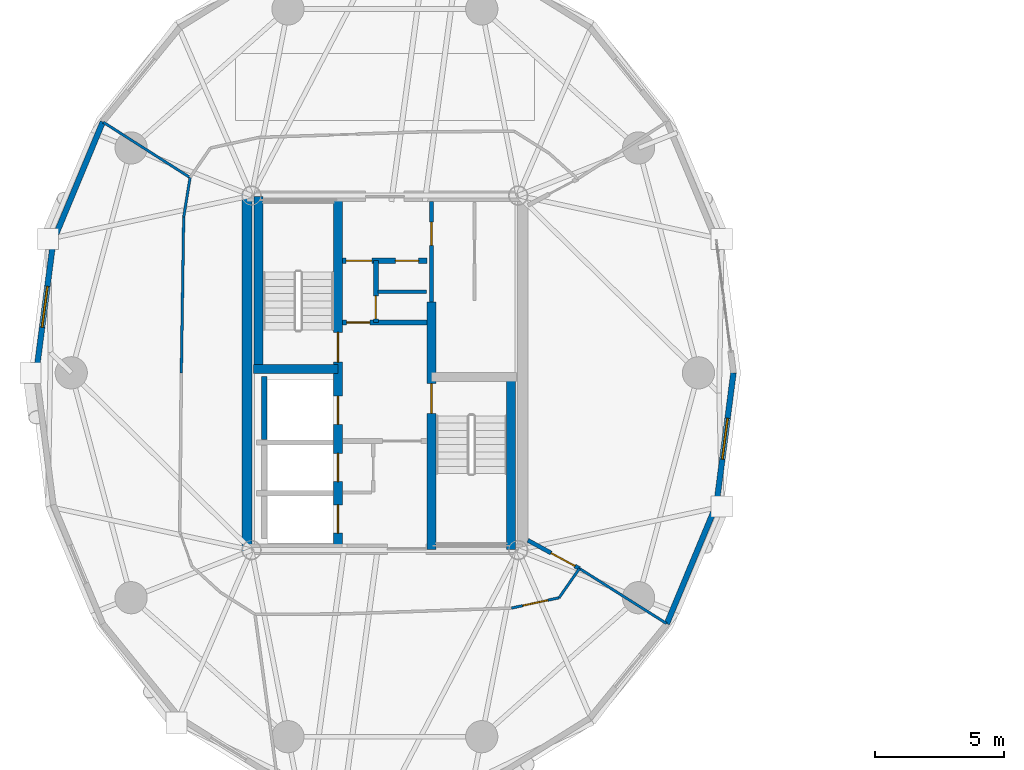
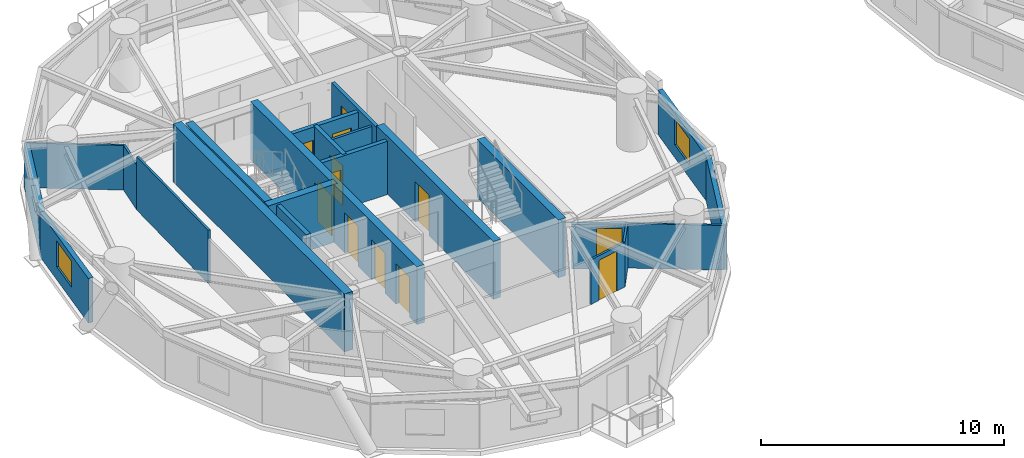
# One storey, part 10 of 17: 23 walls, 12 doors, 2 windows, 14 openings.
"""IFC4 building model written with IfcOpenShell, lengths in metres."""

from ifc_helpers import new_model, si_unit, direction, frame, frame_2d, origin, place, context, subcontext, project, spatial, rectangle, extrude, source, transform, mapped, material, layer, layer_set, type_object, element, fill, save


model = new_model("IFC4")

# Units and contexts
model_context = context("Model", 3, precision=1e-05, world=origin(), true_north=direction((0.0, 1.0)))
body_context = subcontext(model_context, "Body", "Model", "MODEL_VIEW")
ifc_project = project(units=[si_unit("LENGTHUNIT", "METRE"), si_unit("AREAUNIT", "SQUARE_METRE"), si_unit("VOLUMEUNIT", "CUBIC_METRE"), si_unit("PLANEANGLEUNIT", "RADIAN"), si_unit("MASSUNIT", "GRAM", prefix="KILO")], contexts=[model_context])

# Site, building, storey
site_placement = place(None, origin())
site = spatial("IfcSite", under=ifc_project, at=site_placement, CompositionType="ELEMENT")
building_placement = place(site_placement, origin())
building = spatial("IfcBuilding", under=site, at=building_placement, Name="Cununo Teusaquillo Station Towers", CompositionType="ELEMENT")
storey_placement = place(building_placement, frame((0.0, 0.0, 186.52001953125)))
storey = spatial("IfcBuildingStorey", under=building, at=storey_placement, Name="L59", CompositionType="ELEMENT", Elevation=186.52001953125)

# Wall
ifc_material_1 = material(Name="Concrete C50/60", Category="concrete")
ifc_layer_1 = layer(ifc_material_1, 0.199951171875)
ifc_layer_set_1 = layer_set([ifc_layer_1], Name="Concrete C50/60")
wall_type_1 = type_object("IfcWallType", Name="WL-CORE-200", PredefinedType="SHEAR", material=ifc_layer_set_1)
wall_1_placement = place(storey_placement, frame((11.820068359375, 21.919921875, 0.0), z_axis=(0.0, 0.0, 1.0), x_axis=(0.0, 1.0, 0.0)))
element("IfcWall", 1, at=wall_1_placement, inside=storey, type_object=wall_type_1, Name="L59 Tower A Firefighting Lift Shaft Rear Shear Wall", PredefinedType="SHEAR", context=body_context, shape_type="SweptSolid", body=[
    extrude(rectangle(XDim=2.440185546875, YDim=0.199951171875, at=frame_2d((1.22021484375, 0.0))), origin(), (0.0, 0.0, 1.0), 2.909912109375),
])

# Wall, openings, doors
ifc_material_2 = material(Name="Concrete C50/60", Category="concrete")
ifc_layer_2 = layer(ifc_material_2, 0.35009765625)
ifc_layer_set_2 = layer_set([ifc_layer_2], Name="Concrete C50/60")
wall_type_2 = type_object("IfcWallType", Name="WL-CORE-350", PredefinedType="SHEAR", material=ifc_layer_set_2)
wall_2_placement = place(storey_placement, frame((14.68505859375, 17.64990234375, 0.0), z_axis=(0.0, 0.0, 1.0), x_axis=(0.0, 1.0, 0.0)))
wall_2 = element("IfcWall", 2, at=wall_2_placement, inside=storey, type_object=wall_type_2, Name="L59 Tower A Core Shear Wall IW", PredefinedType="SHEAR", context=body_context, shape_type="SweptSolid", body=[
    extrude(rectangle(XDim=13.7001953125, YDim=0.35009765625, at=frame_2d((6.85009765625, 0.0))), origin(), (0.0, 0.0, 1.0), 2.909912109375),
])
shared_shape_1 = source(origin(), body_context, "Body", "SweptSolid", [
    extrude(rectangle(XDim=1.10009765625, YDim=2.014892578125, at=frame_2d((0.550048828125, 1.00732421875))), frame((0.0, 0.18505859375, 0.0), z_axis=(0.0, -1.0, 0.0), x_axis=(1.0, 0.0, 0.0)), (0.0, 0.0, 1.0), 0.3701171875),
])
opening_1_placement = place(wall_2_placement, frame((4.85009765625, 0.0, 0.0)))
opening_1 = element("IfcOpeningElement", 3, at=opening_1_placement, cuts=wall_2, Name="Opening LD-01", PredefinedType="OPENING", context=body_context, shape_type="MappedRepresentation", body=[
    mapped(shared_shape_1, transform((0.0, 0.0, 0.0), x_axis=(1.0, 0.0, 0.0), y_axis=(0.0, 1.0, 0.0), z_axis=(0.0, 0.0, 1.0), scale=1.0)),
])
opening_2_placement = place(wall_2_placement, frame((0.625, 0.0, 0.0)))
opening_2 = element("IfcOpeningElement", 4, at=opening_2_placement, cuts=wall_2, Name="Opening LD-01", PredefinedType="OPENING", context=body_context, shape_type="MappedRepresentation", body=[
    mapped(shared_shape_1, transform((0.0, 0.0, 0.0), x_axis=(1.0, 0.0, 0.0), y_axis=(0.0, 1.0, 0.0), z_axis=(0.0, 0.0, 1.0), scale=1.0)),
])
opening_3_placement = place(wall_2_placement, frame((2.625, 0.0, 0.0)))
opening_3 = element("IfcOpeningElement", 5, at=opening_3_placement, cuts=wall_2, Name="Opening LD-01", PredefinedType="OPENING", context=body_context, shape_type="MappedRepresentation", body=[
    mapped(shared_shape_1, transform((0.0, 0.0, 0.0), x_axis=(1.0, 0.0, 0.0), y_axis=(0.0, 1.0, 0.0), z_axis=(0.0, 0.0, 1.0), scale=1.0)),
])
shared_shape_2 = source(origin(), body_context, "Body", "SweptSolid", [
    extrude(rectangle(XDim=1.14990234375, YDim=2.02001953125, at=frame_2d((0.574951171875, 1.010009765625))), frame((0.0, 0.18505859375, 0.0), z_axis=(0.0, -1.0, 0.0), x_axis=(1.0, 0.0, 0.0)), (0.0, 0.0, 1.0), 0.3701171875),
])
opening_4_placement = place(wall_2_placement, frame((7.27001953125, 0.0, 0.0)))
opening_4 = element("IfcOpeningElement", 6, at=opening_4_placement, cuts=wall_2, Name="Opening D-ST1", PredefinedType="OPENING", context=body_context, shape_type="MappedRepresentation", body=[
    mapped(shared_shape_2, transform((0.0, 0.0, 0.0), x_axis=(1.0, 0.0, 0.0), y_axis=(0.0, 1.0, 0.0), z_axis=(0.0, 0.0, 1.0), scale=1.0)),
])
ifc_material_3 = material(Name="Galvanised fire-rated hollow steel door assembly", Category="steel")
door_type_1 = type_object("IfcDoorType", Name="DR-LIFT-1100", OperationType="SLIDING_TO_LEFT", PredefinedType="DOOR", material=ifc_material_3)
shared_shape_3 = source(origin(), body_context, "Body", "SweptSolid", [
    extrude(rectangle(XDim=1.10009765625, YDim=2.014892578125, at=frame_2d((0.550048828125, 1.00732421875))), frame((0.0, 0.02490234375, 0.0), z_axis=(0.0, -1.0, 0.0), x_axis=(1.0, 0.0, 0.0)), (0.0, 0.0, 1.0), 0.050048828125),
])
door_1_placement = place(opening_1_placement, origin())
door_1 = element("IfcDoor", 7, at=door_1_placement, inside=storey, type_object=door_type_1, Name="L59 Lift FL-T1 Sliding Landing Door", OperationType="SLIDING_TO_RIGHT", OverallHeight=2.014892578125, OverallWidth=1.10009765625, PredefinedType="DOOR", context=body_context, shape_type="MappedRepresentation", body=[
    mapped(shared_shape_3, transform((0.0, 0.0, 0.0), x_axis=(1.0, 0.0, 0.0), y_axis=(0.0, 1.0, 0.0), z_axis=(0.0, 0.0, 1.0), scale=1.0)),
])
fill(opening_1, door_1)
door_2_placement = place(opening_2_placement, origin())
door_2 = element("IfcDoor", 8, at=door_2_placement, inside=storey, type_object=door_type_1, Name="L59 Lift PL-T1-H1 Sliding Landing Door", OperationType="SLIDING_TO_LEFT", OverallHeight=2.014892578125, OverallWidth=1.10009765625, PredefinedType="DOOR", context=body_context, shape_type="MappedRepresentation", body=[
    mapped(shared_shape_3, transform((0.0, 0.0, 0.0), x_axis=(1.0, 0.0, 0.0), y_axis=(0.0, 1.0, 0.0), z_axis=(0.0, 0.0, 1.0), scale=1.0)),
])
fill(opening_2, door_2)
door_3_placement = place(opening_3_placement, origin())
door_3 = element("IfcDoor", 9, at=door_3_placement, inside=storey, type_object=door_type_1, Name="L59 Lift PL-T1-H2 Sliding Landing Door", OperationType="SLIDING_TO_RIGHT", OverallHeight=2.014892578125, OverallWidth=1.10009765625, PredefinedType="DOOR", context=body_context, shape_type="MappedRepresentation", body=[
    mapped(shared_shape_3, transform((0.0, 0.0, 0.0), x_axis=(1.0, 0.0, 0.0), y_axis=(0.0, 1.0, 0.0), z_axis=(0.0, 0.0, 1.0), scale=1.0)),
])
fill(opening_3, door_3)
ifc_material_4 = material(Name="Galvanised fire-rated hollow steel door assembly", Category="steel")
door_type_2 = type_object("IfcDoorType", Name="DR-STAIR-1150", OperationType="NOTDEFINED", PredefinedType="DOOR", material=ifc_material_4)
shared_shape_4 = source(origin(), body_context, "Body", "SweptSolid", [
    extrude(rectangle(XDim=1.14990234375, YDim=2.02001953125, at=frame_2d((0.574951171875, 1.010009765625))), frame((0.0, 0.02490234375, 0.0), z_axis=(0.0, -1.0, 0.0), x_axis=(1.0, 0.0, 0.0)), (0.0, 0.0, 1.0), 0.050048828125),
])
door_4_placement = place(opening_4_placement, origin())
door_4 = element("IfcDoor", 10, at=door_4_placement, inside=storey, type_object=door_type_2, Name="L59 Tower A Exit Stair 1 Fire Door", OperationType="SINGLE_SWING_RIGHT", OverallHeight=2.02001953125, OverallWidth=1.14990234375, PredefinedType="DOOR", context=body_context, shape_type="MappedRepresentation", body=[
    mapped(shared_shape_4, transform((0.0, 0.0, 0.0), x_axis=(1.0, 0.0, 0.0), y_axis=(0.0, 1.0, 0.0), z_axis=(0.0, 0.0, 1.0), scale=1.0)),
])
fill(opening_4, door_4)

# Wall, opening, door
wall_3_placement = place(storey_placement, frame((18.31494140625, 17.64990234375, 0.0), z_axis=(0.0, 0.0, 1.0), x_axis=(0.0, 1.0, 0.0)))
wall_3 = element("IfcWall", 11, at=wall_3_placement, inside=storey, type_object=wall_type_2, Name="L59 Tower A Core Shear Wall IE", PredefinedType="SHEAR", context=body_context, shape_type="SweptSolid", body=[
    extrude(rectangle(XDim=9.60009765625, YDim=0.35009765625, at=frame_2d((4.800048828125, 0.0))), origin(), (0.0, 0.0, 1.0), 2.909912109375),
])
opening_5_placement = place(wall_3_placement, frame((5.280029296875, 0.0, 0.0)))
opening_5 = element("IfcOpeningElement", 12, at=opening_5_placement, cuts=wall_3, Name="Opening D-ST1", PredefinedType="OPENING", context=body_context, shape_type="MappedRepresentation", body=[
    mapped(shared_shape_2, transform((0.0, 0.0, 0.0), x_axis=(1.0, 0.0, 0.0), y_axis=(0.0, 1.0, 0.0), z_axis=(0.0, 0.0, 1.0), scale=1.0)),
])
door_5_placement = place(opening_5_placement, origin())
door_5 = element("IfcDoor", 13, at=door_5_placement, inside=storey, type_object=door_type_2, Name="L59 Tower A Exit Stair 2 Fire Door", OperationType="SINGLE_SWING_LEFT", OverallHeight=2.02001953125, OverallWidth=1.14990234375, PredefinedType="DOOR", context=body_context, shape_type="MappedRepresentation", body=[
    mapped(shared_shape_4, transform((0.0, 0.0, 0.0), x_axis=(1.0, 0.0, 0.0), y_axis=(0.0, 1.0, 0.0), z_axis=(0.0, 0.0, 1.0), scale=1.0)),
])
fill(opening_5, door_5)

# Walls
wall_4_placement = place(storey_placement, frame((11.594970703125, 24.655029296875, 0.0), z_axis=(0.0, 0.0, 1.0), x_axis=(0.0, 1.0, 0.0)))
element("IfcWall", 14, at=wall_4_placement, inside=storey, type_object=wall_type_2, Name="L59 Tower A Core Shear Wall ST1W", PredefinedType="SHEAR", context=body_context, shape_type="SweptSolid", body=[
    extrude(rectangle(XDim=6.695068359375, YDim=0.35009765625, at=frame_2d((3.34765625, 0.0))), origin(), (0.0, 0.0, 1.0), 2.909912109375),
])
wall_5_placement = place(storey_placement, frame((11.39990234375, 24.655029296875, 0.0), z_axis=(0.0, 0.0, 1.0), x_axis=(1.0, 0.0, 0.0)))
element("IfcWall", 15, at=wall_5_placement, inside=storey, type_object=wall_type_2, Name="L59 Tower A Core Shear Wall ST1S", PredefinedType="SHEAR", context=body_context, shape_type="SweptSolid", body=[
    extrude(rectangle(XDim=3.28515625, YDim=0.35009765625, at=frame_2d((1.642578125, 0.0))), origin(), (0.0, 0.0, 1.0), 2.909912109375),
])
wall_6_placement = place(storey_placement, frame((21.405029296875, 17.64990234375, 0.0), z_axis=(0.0, 0.0, 1.0), x_axis=(0.0, 1.0, 0.0)))
element("IfcWall", 16, at=wall_6_placement, inside=storey, type_object=wall_type_2, Name="L59 Tower A Core Shear Wall ST2E", PredefinedType="SHEAR", context=body_context, shape_type="SweptSolid", body=[
    extrude(rectangle(XDim=6.695068359375, YDim=0.35009765625, at=frame_2d((3.34765625, 0.0))), origin(), (0.0, 0.0, 1.0), 2.909912109375),
])
ifc_material_5 = material(Name="Concrete C50/60", Category="concrete")
ifc_layer_3 = layer(ifc_material_5, 0.39990234375)
ifc_layer_set_3 = layer_set([ifc_layer_3], Name="Concrete C50/60")
wall_type_3 = type_object("IfcWallType", Name="WL-CORE-400", PredefinedType="SHEAR", material=ifc_layer_set_3)
wall_7_placement = place(storey_placement, frame((11.14990234375, 17.449951171875, 0.0), z_axis=(0.0, 0.0, 1.0), x_axis=(0.0, 1.0, 0.0)))
element("IfcWall", 17, at=wall_7_placement, inside=storey, type_object=wall_type_3, Name="L59 Tower A Core Shear Wall W", PredefinedType="SHEAR", context=body_context, shape_type="SweptSolid", body=[
    extrude(rectangle(XDim=14.10009765625, YDim=0.39990234375, at=frame_2d((7.050048828125, 0.0))), origin(), (0.0, 0.0, 1.0), 2.909912109375),
])
ifc_material_6 = material(Name="Precast concrete C40/50", Category="concrete")
ifc_layer_4 = layer(ifc_material_6, 0.219970703125)
ifc_layer_set_4 = layer_set([ifc_layer_4], Name="Precast concrete C40/50")
wall_type_4 = type_object("IfcWallType", Name="WL-EXT-220", PredefinedType="SOLIDWALL", material=ifc_layer_set_4)
wall_8_placement = place(storey_placement, frame((3.63134765625, 29.620361328125, 0.0), z_axis=(0.0, 0.0, 1.0), x_axis=(0.384144094086, 0.923273152961, 0.0)))
element("IfcWall", 18, at=wall_8_placement, inside=storey, type_object=wall_type_4, Name="L59 Tower A Exterior Facade Wall C08", PredefinedType="SOLIDWALL", context=body_context, shape_type="SweptSolid", body=[
    extrude(rectangle(XDim=5.0029296875, YDim=0.219970703125, at=frame_2d((2.50146484375, 0.0))), origin(), (0.0, 0.0, 1.0), 2.244873046875),
])

# Wall, opening, window
wall_9_placement = place(storey_placement, frame((2.968994140625, 24.5, 0.0), z_axis=(0.0, 0.0, 1.0), x_axis=(0.128287912609, 0.991736966881, 0.0)))
wall_9 = element("IfcWall", 19, at=wall_9_placement, inside=storey, type_object=wall_type_4, Name="L59 Tower A Exterior Facade Wall C09", PredefinedType="SOLIDWALL", context=body_context, shape_type="SweptSolid", body=[
    extrude(rectangle(XDim=5.1630859375, YDim=0.219970703125, at=frame_2d((2.58154296875, 0.0))), origin(), (0.0, 0.0, 1.0), 2.244873046875),
])
shared_shape_5 = source(origin(), body_context, "Body", "SweptSolid", [
    extrude(rectangle(XDim=1.60009765625, YDim=1.300048828125, at=frame_2d((0.800048828125, 0.64990234375))), frame((0.0, 0.119873046875, 0.0), z_axis=(0.0, -1.0, 0.0), x_axis=(1.0, 0.0, 0.0)), (0.0, 0.0, 1.0), 0.239990234375),
])
opening_6_placement = place(wall_9_placement, frame((1.781982421875, 0.0, 0.64990234375)))
opening_6 = element("IfcOpeningElement", 20, at=opening_6_placement, cuts=wall_9, Name="Opening WN-03", PredefinedType="OPENING", context=body_context, shape_type="MappedRepresentation", body=[
    mapped(shared_shape_5, transform((0.0, 0.0, 0.0), x_axis=(1.0, 0.0, 0.0), y_axis=(0.0, 1.0, 0.0), z_axis=(0.0, 0.0, 1.0), scale=1.0)),
])
ifc_material_7 = material(Name="Ceramic-fritted dark low-E double glazing", Category="glass")
window_type = type_object("IfcWindowType", Name="WIN-CORN-1600", PartitioningType="SINGLE_PANEL", PredefinedType="WINDOW", material=ifc_material_7)
shared_shape_6 = source(origin(), body_context, "Body", "SweptSolid", [
    extrude(rectangle(XDim=1.60009765625, YDim=1.300048828125, at=frame_2d((0.800048828125, 0.64990234375))), frame((0.0, 0.030029296875, 0.0), z_axis=(0.0, -1.0, 0.0), x_axis=(1.0, 0.0, 0.0)), (0.0, 0.0, 1.0), 0.06005859375),
])
window_1_placement = place(opening_6_placement, origin())
window_1 = element("IfcWindow", 21, at=window_1_placement, inside=storey, type_object=window_type, Name="L59 Tower A Facade Window C09", OverallHeight=1.300048828125, OverallWidth=1.60009765625, PartitioningType="SINGLE_PANEL", PredefinedType="WINDOW", context=body_context, shape_type="MappedRepresentation", body=[
    mapped(shared_shape_6, transform((0.0, 0.0, 0.0), x_axis=(1.0, 0.0, 0.0), y_axis=(0.0, 1.0, 0.0), z_axis=(0.0, 0.0, 1.0), scale=1.0)),
])
fill(opening_6, window_1)

# Wall
wall_10_placement = place(storey_placement, frame((29.36865234375, 19.379638671875, 0.0), z_axis=(0.0, 0.0, 1.0), x_axis=(-0.384144094086, -0.923273152961, 0.0)))
element("IfcWall", 22, at=wall_10_placement, inside=storey, type_object=wall_type_4, Name="L59 Tower A Exterior Facade Wall C18", PredefinedType="SOLIDWALL", context=body_context, shape_type="SweptSolid", body=[
    extrude(rectangle(XDim=5.0029296875, YDim=0.219970703125, at=frame_2d((2.50146484375, 0.0))), origin(), (0.0, 0.0, 1.0), 2.244873046875),
])

# Wall, opening, window
wall_11_placement = place(storey_placement, frame((30.031005859375, 24.5, 0.0), z_axis=(0.0, 0.0, 1.0), x_axis=(-0.128287912609, -0.991736966881, 0.0)))
wall_11 = element("IfcWall", 23, at=wall_11_placement, inside=storey, type_object=wall_type_4, Name="L59 Tower A Exterior Facade Wall C19", PredefinedType="SOLIDWALL", context=body_context, shape_type="SweptSolid", body=[
    extrude(rectangle(XDim=5.1630859375, YDim=0.219970703125, at=frame_2d((2.58154296875, 0.0))), origin(), (0.0, 0.0, 1.0), 2.244873046875),
])
opening_7_placement = place(wall_11_placement, frame((1.781982421875, 0.0, 0.64990234375)))
opening_7 = element("IfcOpeningElement", 24, at=opening_7_placement, cuts=wall_11, Name="Opening WN-03", PredefinedType="OPENING", context=body_context, shape_type="MappedRepresentation", body=[
    mapped(shared_shape_5, transform((0.0, 0.0, 0.0), x_axis=(1.0, 0.0, 0.0), y_axis=(0.0, 1.0, 0.0), z_axis=(0.0, 0.0, 1.0), scale=1.0)),
])
window_2_placement = place(opening_7_placement, origin())
window_2 = element("IfcWindow", 25, at=window_2_placement, inside=storey, type_object=window_type, Name="L59 Tower A Facade Window C19", OverallHeight=1.300048828125, OverallWidth=1.60009765625, PartitioningType="SINGLE_PANEL", PredefinedType="WINDOW", context=body_context, shape_type="MappedRepresentation", body=[
    mapped(shared_shape_6, transform((0.0, 0.0, 0.0), x_axis=(1.0, 0.0, 0.0), y_axis=(0.0, 1.0, 0.0), z_axis=(0.0, 0.0, 1.0), scale=1.0)),
])
fill(opening_7, window_2)

# Walls
ifc_material_8 = material(Name="Fire-rated gypsum plasterboard partition assembly", Category="gypsum")
ifc_layer_5 = layer(ifc_material_8, 0.10009765625)
ifc_layer_set_5 = layer_set([ifc_layer_5], Name="Fire-rated gypsum plasterboard partition assembly")
wall_type_5 = type_object("IfcWallType", Name="WL-PART-100", PredefinedType="MOVABLE", material=ifc_layer_set_5)
wall_12_placement = place(storey_placement, frame((8.93994140625, 32.078369140625, 0.0), z_axis=(0.0, 0.0, 1.0), x_axis=(-0.159148467753, -0.98725466077, 0.0)))
element("IfcWall", 26, at=wall_12_placement, inside=storey, type_object=wall_type_5, Name="L59 Tower A Corridor Ring Wall C08", PredefinedType="MOVABLE", context=body_context, shape_type="SweptSolid", body=[
    extrude(rectangle(XDim=1.553955078125, YDim=0.10009765625, at=frame_2d((0.77685546875, 0.0))), origin(), (0.0, 0.0, 1.0), 2.244873046875),
])
wall_13_placement = place(storey_placement, frame((8.692626953125, 30.544189453125, 0.0), z_axis=(0.0, 0.0, 1.0), x_axis=(-0.015307007986, -0.99988284089, 0.0)))
element("IfcWall", 27, at=wall_13_placement, inside=storey, type_object=wall_type_5, Name="L59 Tower A Corridor Ring Wall C09", PredefinedType="MOVABLE", context=body_context, shape_type="SweptSolid", body=[
    extrude(rectangle(XDim=6.044921875, YDim=0.10009765625, at=frame_2d((3.0224609375, 0.0))), origin(), (0.0, 0.0, 1.0), 2.675048828125),
])

# Wall, opening, door
wall_14_placement = place(storey_placement, frame((21.418701171875, 15.369140625, 0.0), z_axis=(0.0, 0.0, 1.0), x_axis=(0.977192701953, 0.212354475464, 0.0)))
wall_14 = element("IfcWall", 28, at=wall_14_placement, inside=storey, type_object=wall_type_5, Name="L59 Tower A Corridor Ring Wall C16", PredefinedType="MOVABLE", context=body_context, shape_type="SweptSolid", body=[
    extrude(rectangle(XDim=1.8876953125, YDim=0.10009765625, at=frame_2d((0.94384765625, 0.0))), origin(), (0.0, 0.0, 1.0), 2.244873046875),
])
shared_shape_7 = source(origin(), body_context, "Body", "SweptSolid", [
    extrude(rectangle(XDim=1.0, YDim=2.014892578125, at=frame_2d((0.5, 1.00732421875))), frame((0.0, 0.06005859375, 0.0), z_axis=(0.0, -1.0, 0.0), x_axis=(1.0, 0.0, 0.0)), (0.0, 0.0, 1.0), 0.1201171875),
])
opening_8_placement = place(wall_14_placement, frame((0.44384765625, 0.0, 0.0)))
opening_8 = element("IfcOpeningElement", 29, at=opening_8_placement, cuts=wall_14, Name="Opening D-AC1", PredefinedType="OPENING", context=body_context, shape_type="MappedRepresentation", body=[
    mapped(shared_shape_7, transform((0.0, 0.0, 0.0), x_axis=(1.0, 0.0, 0.0), y_axis=(0.0, 1.0, 0.0), z_axis=(0.0, 0.0, 1.0), scale=1.0)),
])
ifc_material_9 = material(Name="Acoustic solid-core hardwood leaf assembly", Category="wood")
door_type_3 = type_object("IfcDoorType", Name="DR-ACC-1000", OperationType="NOTDEFINED", PredefinedType="DOOR", material=ifc_material_9)
shared_shape_8 = source(origin(), body_context, "Body", "SweptSolid", [
    extrude(rectangle(XDim=1.0, YDim=2.014892578125, at=frame_2d((0.5, 1.00732421875))), frame((0.0, 0.02490234375, 0.0), z_axis=(0.0, -1.0, 0.0), x_axis=(1.0, 0.0, 0.0)), (0.0, 0.0, 1.0), 0.050048828125),
])
door_6_placement = place(opening_8_placement, origin())
door_6 = element("IfcDoor", 30, at=door_6_placement, inside=storey, type_object=door_type_3, Name="L59 Tower A Public Accessible Restroom WC Entrance Door", OperationType="SINGLE_SWING_LEFT", OverallHeight=2.014892578125, OverallWidth=1.0, PredefinedType="DOOR", context=body_context, shape_type="MappedRepresentation", body=[
    mapped(shared_shape_8, transform((0.0, 0.0, 0.0), x_axis=(1.0, 0.0, 0.0), y_axis=(0.0, 1.0, 0.0), z_axis=(0.0, 0.0, 1.0), scale=1.0)),
])
fill(opening_8, door_6)

# Walls
wall_15_placement = place(storey_placement, frame((23.263427734375, 15.77001953125, 0.0), z_axis=(0.0, 0.0, 1.0), x_axis=(0.570743456919, 0.821128434768, 0.0)))
element("IfcWall", 31, at=wall_15_placement, inside=storey, type_object=wall_type_5, Name="L59 Tower A Corridor Ring Wall C17", PredefinedType="MOVABLE", context=body_context, shape_type="SweptSolid", body=[
    extrude(rectangle(XDim=1.381591796875, YDim=0.10009765625, at=frame_2d((0.69091796875, 0.0))), origin(), (0.0, 0.0, 1.0), 2.244873046875),
])
wall_16_placement = place(storey_placement, frame((8.93994140625, 32.078369140625, 0.0), z_axis=(0.0, 0.0, 1.0), x_axis=(-0.843153138911, 0.53767349232, 0.0)))
element("IfcWall", 32, at=wall_16_placement, inside=storey, type_object=wall_type_5, Name="L59 Tower A Radial Suite Partition R02", PredefinedType="MOVABLE", context=body_context, shape_type="SweptSolid", body=[
    extrude(rectangle(XDim=3.99755859375, YDim=0.10009765625, at=frame_2d((1.998779296875, 0.0))), origin(), (0.0, 0.0, 1.0), 2.244873046875),
])
wall_17_placement = place(storey_placement, frame((24.052001953125, 16.904541015625, 0.0), z_axis=(0.0, 0.0, 1.0), x_axis=(0.845666007609, -0.533712472755, 0.0)))
element("IfcWall", 33, at=wall_17_placement, inside=storey, type_object=wall_type_5, Name="L59 Tower A Radial Suite Partition R04", PredefinedType="MOVABLE", context=body_context, shape_type="SweptSolid", body=[
    extrude(rectangle(XDim=3.995361328125, YDim=0.10009765625, at=frame_2d((1.99755859375, 0.0))), origin(), (0.0, 0.0, 1.0), 2.244873046875),
])
ifc_material_10 = material(Name="Fire-rated gypsum plasterboard partition assembly", Category="gypsum")
ifc_layer_6 = layer(ifc_material_10, 0.125)
ifc_layer_set_6 = layer_set([ifc_layer_6], Name="Fire-rated gypsum plasterboard partition assembly")
wall_type_6 = type_object("IfcWallType", Name="WL-PART-125", PredefinedType="PARTITIONING", material=ifc_layer_set_6)
wall_18_placement = place(storey_placement, frame((16.239990234375, 27.64990234375, 0.0), z_axis=(0.0, 0.0, 1.0), x_axis=(1.0, 0.0, 0.0)))
element("IfcWall", 34, at=wall_18_placement, inside=storey, type_object=wall_type_6, Name="L59 Tower A Core Horizontal Split Wall", PredefinedType="PARTITIONING", context=body_context, shape_type="SweptSolid", body=[
    extrude(rectangle(XDim=1.880126953125, YDim=0.125, at=frame_2d((0.93994140625, 0.0))), origin(), (0.0, 0.0, 1.0), 2.675048828125),
])

# Wall, opening, door
ifc_material_11 = material(Name="Fire-rated gypsum plasterboard partition assembly", Category="gypsum")
ifc_layer_7 = layer(ifc_material_11, 0.159912109375)
ifc_layer_set_7 = layer_set([ifc_layer_7], Name="Fire-rated gypsum plasterboard partition assembly")
wall_type_7 = type_object("IfcWallType", Name="WL-PART-160", PredefinedType="PARTITIONING", material=ifc_layer_set_7)
wall_19_placement = place(storey_placement, frame((18.31494140625, 27.25, 0.0), z_axis=(0.0, 0.0, 1.0), x_axis=(0.0, 1.0, 0.0)))
wall_19 = element("IfcWall", 35, at=wall_19_placement, inside=storey, type_object=wall_type_7, Name="L59 Tower A Reclaimed Core Bay Entry Wall", PredefinedType="PARTITIONING", context=body_context, shape_type="SweptSolid", body=[
    extrude(rectangle(XDim=3.89990234375, YDim=0.159912109375, at=frame_2d((1.949951171875, 0.0))), origin(), (0.0, 0.0, 1.0), 2.675048828125),
])
shared_shape_9 = source(origin(), body_context, "Body", "SweptSolid", [
    extrude(rectangle(XDim=0.89990234375, YDim=2.0048828125, at=frame_2d((0.449951171875, 1.00244140625))), frame((0.0, 0.08984375, 0.0), z_axis=(0.0, -1.0, 0.0), x_axis=(1.0, 0.0, 0.0)), (0.0, 0.0, 1.0), 0.179931640625),
])
opening_9_placement = place(wall_19_placement, frame((2.199951171875, 0.0, 0.0)))
opening_9 = element("IfcOpeningElement", 36, at=opening_9_placement, cuts=wall_19, Name="Opening D-IN1", PredefinedType="OPENING", context=body_context, shape_type="MappedRepresentation", body=[
    mapped(shared_shape_9, transform((0.0, 0.0, 0.0), x_axis=(1.0, 0.0, 0.0), y_axis=(0.0, 1.0, 0.0), z_axis=(0.0, 0.0, 1.0), scale=1.0)),
])
ifc_material_12 = material(Name="Acoustic solid-core hardwood leaf assembly", Category="wood")
door_type_4 = type_object("IfcDoorType", Name="DR-INT-900", OperationType="NOTDEFINED", PredefinedType="DOOR", material=ifc_material_12)
shared_shape_10 = source(origin(), body_context, "Body", "SweptSolid", [
    extrude(rectangle(XDim=0.89990234375, YDim=2.0048828125, at=frame_2d((0.449951171875, 1.00244140625))), frame((0.0, 0.02490234375, 0.0), z_axis=(0.0, -1.0, 0.0), x_axis=(1.0, 0.0, 0.0)), (0.0, 0.0, 1.0), 0.050048828125),
])
door_7_placement = place(opening_9_placement, origin())
door_7 = element("IfcDoor", 37, at=door_7_placement, inside=storey, type_object=door_type_4, Name="L59 Tower A Reclaimed Meeting Room Door", OperationType="SINGLE_SWING_LEFT", OverallHeight=2.0048828125, OverallWidth=0.89990234375, PredefinedType="DOOR", context=body_context, shape_type="MappedRepresentation", body=[
    mapped(shared_shape_10, transform((0.0, 0.0, 0.0), x_axis=(1.0, 0.0, 0.0), y_axis=(0.0, 1.0, 0.0), z_axis=(0.0, 0.0, 1.0), scale=1.0)),
])
fill(opening_9, door_7)

wall_20_placement = place(storey_placement, frame((22.050048828125, 18.0, 0.0), z_axis=(0.0, 0.0, 1.0), x_axis=(0.877252891813, -0.480028503118, 0.0)))
wall_20 = element("IfcWall", 38, at=wall_20_placement, inside=storey, type_object=wall_type_7, Name="L59 Tower A East Salon Corridor Portal Wall SE", PredefinedType="PARTITIONING", context=body_context, shape_type="SweptSolid", body=[
    extrude(rectangle(XDim=2.281982421875, YDim=0.159912109375, at=frame_2d((1.14111328125, 0.0))), origin(), (0.0, 0.0, 1.0), 2.244873046875),
])
shared_shape_11 = source(origin(), body_context, "Body", "SweptSolid", [
    extrude(rectangle(XDim=1.050048828125, YDim=2.014892578125, at=frame_2d((0.52490234375, 1.00732421875))), frame((0.0, 0.08984375, 0.0), z_axis=(0.0, -1.0, 0.0), x_axis=(1.0, 0.0, 0.0)), (0.0, 0.0, 1.0), 0.179931640625),
])
opening_10_placement = place(wall_20_placement, frame((1.031982421875, 0.0, 0.0)))
opening_10 = element("IfcOpeningElement", 39, at=opening_10_placement, cuts=wall_20, Name="Opening D-SU1", PredefinedType="OPENING", context=body_context, shape_type="MappedRepresentation", body=[
    mapped(shared_shape_11, transform((0.0, 0.0, 0.0), x_axis=(1.0, 0.0, 0.0), y_axis=(0.0, 1.0, 0.0), z_axis=(0.0, 0.0, 1.0), scale=1.0)),
])
ifc_material_13 = material(Name="Acoustic solid-core hardwood leaf assembly", Category="wood")
door_type_5 = type_object("IfcDoorType", Name="DR-SUITE-1050", OperationType="NOTDEFINED", PredefinedType="DOOR", material=ifc_material_13)
shared_shape_12 = source(origin(), body_context, "Body", "SweptSolid", [
    extrude(rectangle(XDim=1.050048828125, YDim=2.014892578125, at=frame_2d((0.52490234375, 1.00732421875))), frame((0.0, 0.02490234375, 0.0), z_axis=(0.0, -1.0, 0.0), x_axis=(1.0, 0.0, 0.0)), (0.0, 0.0, 1.0), 0.050048828125),
])
door_8_placement = place(opening_10_placement, origin())
door_8 = element("IfcDoor", 40, at=door_8_placement, inside=storey, type_object=door_type_5, Name="L59 Tower A East Panorama Sky Salon Door SE", OperationType="SINGLE_SWING_RIGHT", OverallHeight=2.014892578125, OverallWidth=1.050048828125, PredefinedType="DOOR", context=body_context, shape_type="MappedRepresentation", body=[
    mapped(shared_shape_12, transform((0.0, 0.0, 0.0), x_axis=(1.0, 0.0, 0.0), y_axis=(0.0, 1.0, 0.0), z_axis=(0.0, 0.0, 1.0), scale=1.0)),
])
fill(opening_10, door_8)

ifc_material_14 = material(Name="Fire-rated gypsum plasterboard partition assembly", Category="gypsum")
ifc_layer_8 = layer(ifc_material_14, 0.199951171875)
ifc_layer_set_8 = layer_set([ifc_layer_8], Name="Fire-rated gypsum plasterboard partition assembly")
wall_type_8 = type_object("IfcWallType", Name="WL-PART-200", PredefinedType="PARTITIONING", material=ifc_layer_set_8)
wall_21_placement = place(storey_placement, frame((14.860107421875, 26.449951171875, 0.0), z_axis=(0.0, 0.0, 1.0), x_axis=(1.0, 0.0, 0.0)))
wall_21 = element("IfcWall", 41, at=wall_21_placement, inside=storey, type_object=wall_type_8, Name="L59 Tower A Firefighting Lift Lobby North Fire Wall", PredefinedType="PARTITIONING", context=body_context, shape_type="SweptSolid", body=[
    extrude(rectangle(XDim=3.27978515625, YDim=0.199951171875, at=frame_2d((1.639892578125, 0.0))), origin(), (0.0, 0.0, 1.0), 2.675048828125),
])
shared_shape_13 = source(origin(), body_context, "Body", "SweptSolid", [
    extrude(rectangle(XDim=0.89990234375, YDim=2.0048828125, at=frame_2d((0.449951171875, 1.00244140625))), frame((0.0, 0.10986328125, 0.0), z_axis=(0.0, -1.0, 0.0), x_axis=(1.0, 0.0, 0.0)), (0.0, 0.0, 1.0), 0.219970703125),
])
opening_11_placement = place(wall_21_placement, frame((0.159912109375, 0.0, 0.0)))
opening_11 = element("IfcOpeningElement", 42, at=opening_11_placement, cuts=wall_21, Name="Opening D-SR1", PredefinedType="OPENING", context=body_context, shape_type="MappedRepresentation", body=[
    mapped(shared_shape_13, transform((0.0, 0.0, 0.0), x_axis=(1.0, 0.0, 0.0), y_axis=(0.0, 1.0, 0.0), z_axis=(0.0, 0.0, 1.0), scale=1.0)),
])
ifc_material_15 = material(Name="Galvanised fire-rated hollow steel door assembly", Category="steel")
door_type_6 = type_object("IfcDoorType", Name="DR-STORE-900", OperationType="NOTDEFINED", PredefinedType="DOOR", material=ifc_material_15)
door_9_placement = place(opening_11_placement, origin())
door_9 = element("IfcDoor", 43, at=door_9_placement, inside=storey, type_object=door_type_6, Name="L59 Tower A Stair 1 Protected Vestibule South Door", OperationType="SINGLE_SWING_RIGHT", OverallHeight=2.0048828125, OverallWidth=0.89990234375, PredefinedType="DOOR", context=body_context, shape_type="MappedRepresentation", body=[
    mapped(shared_shape_10, transform((0.0, 0.0, 0.0), x_axis=(1.0, 0.0, 0.0), y_axis=(0.0, 1.0, 0.0), z_axis=(0.0, 0.0, 1.0), scale=1.0)),
])
fill(opening_11, door_9)

wall_22_placement = place(storey_placement, frame((16.14990234375, 26.449951171875, 0.0), z_axis=(0.0, 0.0, 1.0), x_axis=(0.0, 1.0, 0.0)))
wall_22 = element("IfcWall", 44, at=wall_22_placement, inside=storey, type_object=wall_type_8, Name="L59 Tower A Stair 1 Vestibule Partition Wall", PredefinedType="PARTITIONING", context=body_context, shape_type="SweptSolid", body=[
    extrude(rectangle(XDim=2.400146484375, YDim=0.199951171875, at=frame_2d((1.2001953125, 0.0))), origin(), (0.0, 0.0, 1.0), 2.675048828125),
])
opening_12_placement = place(wall_22_placement, frame((0.139892578125, 0.0, 0.0)))
opening_12 = element("IfcOpeningElement", 45, at=opening_12_placement, cuts=wall_22, Name="Opening D-SR1", PredefinedType="OPENING", context=body_context, shape_type="MappedRepresentation", body=[
    mapped(shared_shape_13, transform((0.0, 0.0, 0.0), x_axis=(1.0, 0.0, 0.0), y_axis=(0.0, 1.0, 0.0), z_axis=(0.0, 0.0, 1.0), scale=1.0)),
])
door_10_placement = place(opening_12_placement, origin())
door_10 = element("IfcDoor", 46, at=door_10_placement, inside=storey, type_object=door_type_6, Name="L59 Tower A Core Linen Store Door", OperationType="SINGLE_SWING_LEFT", OverallHeight=2.0048828125, OverallWidth=0.89990234375, PredefinedType="DOOR", context=body_context, shape_type="MappedRepresentation", body=[
    mapped(shared_shape_10, transform((0.0, 0.0, 0.0), x_axis=(1.0, 0.0, 0.0), y_axis=(0.0, 1.0, 0.0), z_axis=(0.0, 0.0, 1.0), scale=1.0)),
])
fill(opening_12, door_10)

# Wall, openings, doors
wall_23_placement = place(storey_placement, frame((14.860107421875, 28.85009765625, 0.0), z_axis=(0.0, 0.0, 1.0), x_axis=(1.0, 0.0, 0.0)))
wall_23 = element("IfcWall", 47, at=wall_23_placement, inside=storey, type_object=wall_type_8, Name="L59 Tower A North Lift Lobby South Fire Wall", PredefinedType="PARTITIONING", context=body_context, shape_type="SweptSolid", body=[
    extrude(rectangle(XDim=3.27978515625, YDim=0.199951171875, at=frame_2d((1.639892578125, 0.0))), origin(), (0.0, 0.0, 1.0), 2.675048828125),
])
shared_shape_14 = source(origin(), body_context, "Body", "SweptSolid", [
    extrude(rectangle(XDim=1.0, YDim=2.014892578125, at=frame_2d((0.5, 1.00732421875))), frame((0.0, 0.10986328125, 0.0), z_axis=(0.0, -1.0, 0.0), x_axis=(1.0, 0.0, 0.0)), (0.0, 0.0, 1.0), 0.219970703125),
])
opening_13_placement = place(wall_23_placement, frame((0.139892578125, 0.0, 0.0)))
opening_13 = element("IfcOpeningElement", 48, at=opening_13_placement, cuts=wall_23, Name="Opening D-AC1", PredefinedType="OPENING", context=body_context, shape_type="MappedRepresentation", body=[
    mapped(shared_shape_14, transform((0.0, 0.0, 0.0), x_axis=(1.0, 0.0, 0.0), y_axis=(0.0, 1.0, 0.0), z_axis=(0.0, 0.0, 1.0), scale=1.0)),
])
opening_14_placement = place(wall_23_placement, frame((2.050048828125, 0.0, 0.0)))
opening_14 = element("IfcOpeningElement", 49, at=opening_14_placement, cuts=wall_23, Name="Opening D-SR1", PredefinedType="OPENING", context=body_context, shape_type="MappedRepresentation", body=[
    mapped(shared_shape_13, transform((0.0, 0.0, 0.0), x_axis=(1.0, 0.0, 0.0), y_axis=(0.0, 1.0, 0.0), z_axis=(0.0, 0.0, 1.0), scale=1.0)),
])
door_11_placement = place(opening_14_placement, origin())
door_11 = element("IfcDoor", 50, at=door_11_placement, inside=storey, type_object=door_type_6, Name="L59 Tower A Core Comms Room Door", OperationType="SINGLE_SWING_RIGHT", OverallHeight=2.0048828125, OverallWidth=0.89990234375, PredefinedType="DOOR", context=body_context, shape_type="MappedRepresentation", body=[
    mapped(shared_shape_10, transform((0.0, 0.0, 0.0), x_axis=(1.0, 0.0, 0.0), y_axis=(0.0, 1.0, 0.0), z_axis=(0.0, 0.0, 1.0), scale=1.0)),
])
fill(opening_14, door_11)
door_12_placement = place(opening_13_placement, origin())
door_12 = element("IfcDoor", 51, at=door_12_placement, inside=storey, type_object=door_type_3, Name="L59 Tower A North Lift Lobby to Stair 1 Vestibule Door", OperationType="SINGLE_SWING_LEFT", OverallHeight=2.014892578125, OverallWidth=1.0, PredefinedType="DOOR", context=body_context, shape_type="MappedRepresentation", body=[
    mapped(shared_shape_8, transform((0.0, 0.0, 0.0), x_axis=(1.0, 0.0, 0.0), y_axis=(0.0, 1.0, 0.0), z_axis=(0.0, 0.0, 1.0), scale=1.0)),
])
fill(opening_13, door_12)

save(model, "model.ifc")
